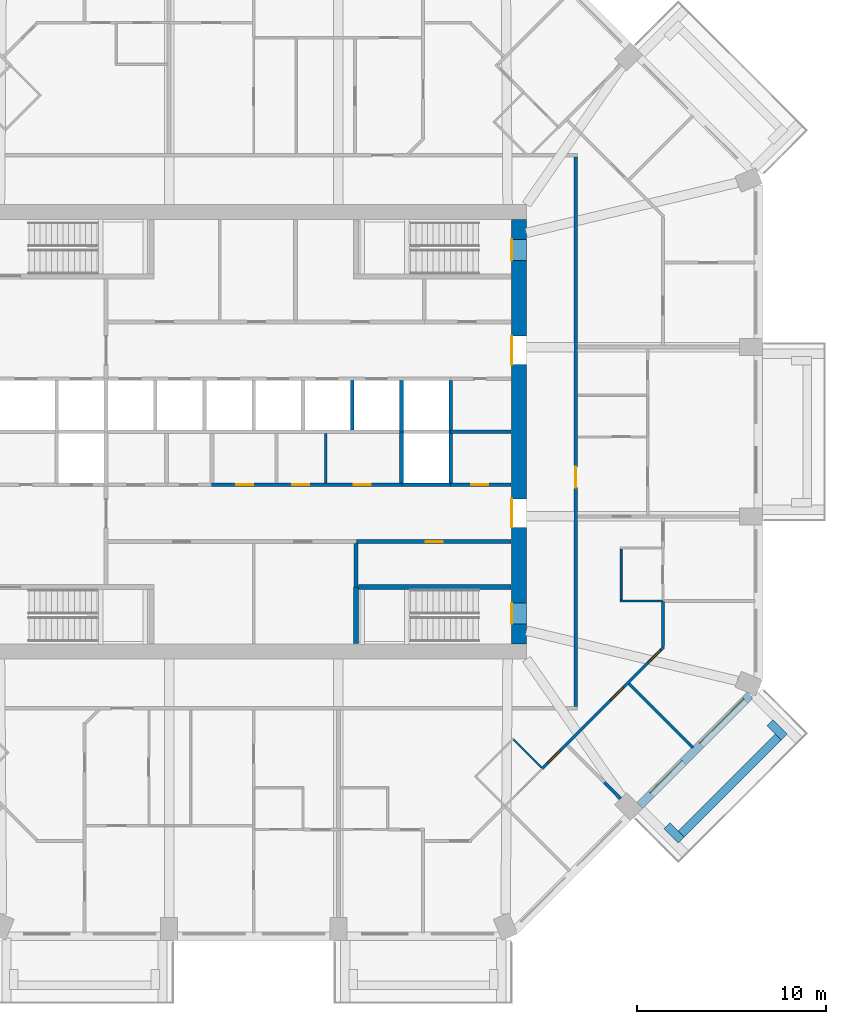
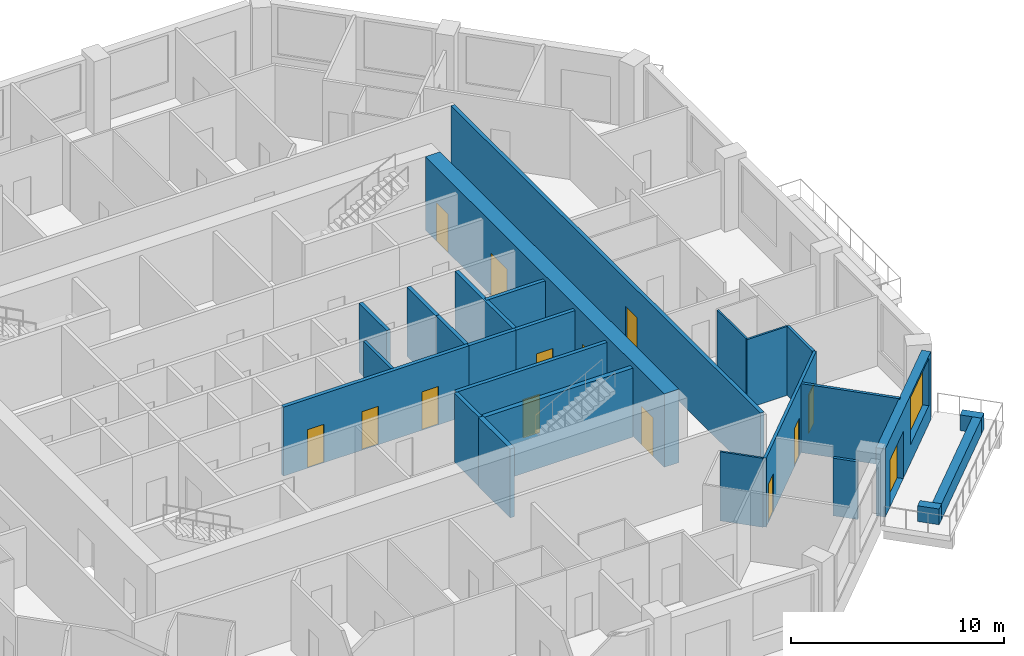
# One storey, part 6 of 13: 26 walls, 14 doors, 1 window, 15 openings.
"""IFC4 building model written with IfcOpenShell, lengths in metres."""

import ifcopenshell
import ifcopenshell.guid

model = None  # the IFC model being written
_history = None  # IfcOwnerHistory: only IFC2X3 demands one
_inside = {}  # id of a spatial element -> (the spatial element, [elements in it])
_under = {}  # id of a project, library or spatial element -> (it, [spatial elements below it])
_declared = {}  # id of a project -> (the project, [libraries it declares])
_typed = {}  # id of a type object -> (the type object, [elements of that type])
_made_of = {}  # id of a material, layer set ... -> (it, [elements and type objects made of it])


def new_model(schema):
    """Start an empty IFC model of exactly this schema.

    Asked for "IFC4X3", IfcOpenShell would pick the latest addendum, in which some entities
    have other attributes; the version numbers below select the first issue.
    IFC2X3 requires an IfcOwnerHistory on every rooted entity: one is made here for all.
    """
    global model, _history
    if schema == "IFC4X3":
        model = ifcopenshell.file(schema_version=(4, 3, 0, 0))
    else:
        model = ifcopenshell.file(schema=schema)
    _inside.clear()
    _under.clear()
    _declared.clear()
    _typed.clear()
    _made_of.clear()
    _history = None
    if model.schema == "IFC2X3":
        org = make("IfcOrganization", Name="unknown")
        user = make(
            "IfcPersonAndOrganization",
            ThePerson=make("IfcPerson", FamilyName="unknown"),
            TheOrganization=org,
        )
        app = make(
            "IfcApplication",
            ApplicationDeveloper=org,
            Version="unknown",
            ApplicationFullName="unknown",
            ApplicationIdentifier="unknown",
        )
        _history = make(
            "IfcOwnerHistory",
            OwningUser=user,
            OwningApplication=app,
            ChangeAction="ADDED",
            CreationDate=0,
        )
    return model


def make(cls, **values):
    """One entity of the class cls with the attributes given. An attribute that is None is left unset."""
    return model.create_entity(
        cls, **{name: value for name, value in values.items() if value is not None}
    )


def rooted(cls, **values):
    """An entity with a GlobalId (a new one), such as an element, a storey or a relation."""
    return make(cls, GlobalId=ifcopenshell.guid.new(), OwnerHistory=_history, **values)


def si_unit(unit_type, name, prefix=None):
    """IfcSIUnit, for example si_unit("LENGTHUNIT", "METRE", prefix="MILLI")."""
    return make("IfcSIUnit", UnitType=unit_type, Prefix=prefix, Name=name)


def assignment(units):
    """IfcUnitAssignment: the units of a project."""
    return None if units is None else make("IfcUnitAssignment", Units=units)


def point(xyz):
    """IfcCartesianPoint."""
    return None if xyz is None else make("IfcCartesianPoint", Coordinates=xyz)


def direction(xyz):
    """IfcDirection."""
    return None if xyz is None else make("IfcDirection", DirectionRatios=xyz)


def frame(location, z_axis=None, x_axis=None):
    """IfcAxis2Placement3D, a coordinate frame: its origin and axes. An axis left out is left unset."""
    return make(
        "IfcAxis2Placement3D",
        Location=point(location),
        Axis=direction(z_axis),
        RefDirection=direction(x_axis),
    )


def frame_2d(location, x_axis=None):
    """IfcAxis2Placement2D, a coordinate frame in the plane: its origin and x axis."""
    return make(
        "IfcAxis2Placement2D", Location=point(location), RefDirection=direction(x_axis)
    )


def origin():
    """The frame at (0, 0, 0) with its axes left unset."""
    return frame((0.0, 0.0, 0.0))


def place(relative_to, where):
    """IfcLocalPlacement: puts the frame where relative to a parent placement (None: the world)."""
    return make(
        "IfcLocalPlacement", PlacementRelTo=relative_to, RelativePlacement=where
    )


def context(
    kind, dimensions, precision=None, world=None, true_north=None, identifier=None
):
    """IfcGeometricRepresentationContext, for example the 3D "Model" context."""
    return make(
        "IfcGeometricRepresentationContext",
        ContextIdentifier=identifier,
        ContextType=kind,
        CoordinateSpaceDimension=dimensions,
        Precision=precision,
        WorldCoordinateSystem=world,
        TrueNorth=true_north,
    )


def subcontext(parent, identifier, kind, view, scale=None):
    """IfcGeometricRepresentationSubContext, for example "Body" below "Model"."""
    return make(
        "IfcGeometricRepresentationSubContext",
        ContextIdentifier=identifier,
        ContextType=kind,
        ParentContext=parent,
        TargetScale=scale,
        TargetView=view,
    )


def project(units=None, contexts=None):
    """IfcProject with its units and contexts."""
    return rooted(
        "IfcProject",
        Name="project",
        RepresentationContexts=contexts,
        UnitsInContext=assignment(units),
    )


def spatial(cls, under=None, at=None, **own):
    """A site, building, storey or space (cls), placed at a placement, below another one or the project."""
    s = rooted(cls, ObjectPlacement=at, **own)
    if under is not None:
        _under.setdefault(under.id(), (under, []))[1].append(s)
    return s


def profile(cls, at=None, kind="AREA", **sizes):
    """A parametric profile (cls). Its sizes go by their IFC names, for example OverallWidth=200.0."""
    return make(cls, ProfileType=kind, Position=at, **sizes)


def rectangle(**sizes):
    """IfcRectangleProfileDef."""
    return profile("IfcRectangleProfileDef", **sizes)


def extrude(swept, where, along, depth):
    """IfcExtrudedAreaSolid: the profile swept, set in the frame where, extruded along a direction by depth."""
    return make(
        "IfcExtrudedAreaSolid",
        SweptArea=swept,
        Position=where,
        ExtrudedDirection=direction(along),
        Depth=depth,
    )


def shape(context_of_items, identifier, shape_type, items):
    """IfcShapeRepresentation: the items that make up one representation, for example the "Body"."""
    return make(
        "IfcShapeRepresentation",
        ContextOfItems=context_of_items,
        RepresentationIdentifier=identifier,
        RepresentationType=shape_type,
        Items=items,
    )


def material(Name=None, Category=None):
    """IfcMaterial."""
    return make("IfcMaterial", Name=Name, Category=Category)


def layer(
    of_material, thickness, ventilated=None, Name=None, Category=None, Priority=None
):
    """IfcMaterialLayer: one layer of a wall or slab, of a material (None: an air gap)."""
    return make(
        "IfcMaterialLayer",
        Material=of_material,
        LayerThickness=thickness,
        IsVentilated=ventilated,
        Name=Name,
        Category=Category,
        Priority=Priority,
    )


def layer_set(layers, Name=None):
    """IfcMaterialLayerSet."""
    return make("IfcMaterialLayerSet", MaterialLayers=layers, LayerSetName=Name)


def made_of(thing, what):
    """Note that an element or type object is made of a material, layer set ...; save() writes the relation."""
    if what is not None:
        _made_of.setdefault(what.id(), (what, []))[1].append(thing)
    return thing


def type_object(cls, material=None, **own):
    """A type object (cls), such as IfcWallType, which elements share."""
    return made_of(rooted(cls, **own), material)


def element(
    cls,
    number,
    at=None,
    inside=None,
    cuts=None,
    type_object=None,
    material=None,
    context=None,
    identifier="Body",
    shape_type=None,
    held_by="IfcProductDefinitionShape",
    body=None,
    shapes=None,
    **own,
):
    """One element of the class cls, such as IfcWall. Its Tag is "e" and its number.

    at: its placement. inside: the storey or other place that contains it. cuts: it is an
    opening in that element (IfcRelVoidsElement). A single representation is given by context,
    identifier, shape_type and body (its items); several are given by shapes. held_by: the class
    of the entity that holds the representations. save() writes the other relations.
    """
    e = rooted(cls, Tag="e%d" % number, ObjectPlacement=at, **own)
    if body is not None:
        shapes = [shape(context, identifier, shape_type, body)]
    if shapes is not None:
        e.Representation = make(held_by, Representations=shapes)
    if inside is not None:
        _inside.setdefault(inside.id(), (inside, []))[1].append(e)
    if cuts is not None:
        rooted(
            "IfcRelVoidsElement", RelatingBuildingElement=cuts, RelatedOpeningElement=e
        )
    if type_object is not None:
        _typed.setdefault(type_object.id(), (type_object, []))[1].append(e)
    return made_of(e, material)


def fill(opening, filler):
    """IfcRelFillsElement: the door or window that sits in an opening."""
    return rooted(
        "IfcRelFillsElement",
        RelatingOpeningElement=opening,
        RelatedBuildingElement=filler,
    )


def aggregate(whole, parts):
    """IfcRelAggregates: a whole, such as a stair, and the parts it consists of."""
    return rooted("IfcRelAggregates", RelatingObject=whole, RelatedObjects=parts)


def save(model, path):
    """Write the relations noted so far, then the file.

    IfcRelAggregates (storeys below a building ...), IfcRelContainedInSpatialStructure (elements
    in a storey), IfcRelDefinesByType, IfcRelAssociatesMaterial and IfcRelDeclares: one each for
    every whole, place, type object, material and project.
    """
    for whole, parts in _under.values():
        aggregate(whole, parts)
    for where, things in _inside.values():
        rooted(
            "IfcRelContainedInSpatialStructure",
            RelatedElements=things,
            RelatingStructure=where,
        )
    for kind, things in _typed.values():
        rooted("IfcRelDefinesByType", RelatedObjects=things, RelatingType=kind)
    for what, things in _made_of.values():
        rooted("IfcRelAssociatesMaterial", RelatedObjects=things, RelatingMaterial=what)
    for by, libraries in _declared.values():
        rooted("IfcRelDeclares", RelatingContext=by, RelatedDefinitions=libraries)
    model.write(path)


model = new_model("IFC4")

# Units and contexts
model_context = context("Model", 3, precision=1e-05, world=origin(), true_north=direction((0.0, 1.0)))
body_context = subcontext(model_context, "Body", "Model", "MODEL_VIEW")
ifc_project = project(units=[si_unit("LENGTHUNIT", "METRE"), si_unit("AREAUNIT", "SQUARE_METRE"), si_unit("VOLUMEUNIT", "CUBIC_METRE"), si_unit("PLANEANGLEUNIT", "RADIAN"), si_unit("MASSUNIT", "GRAM", prefix="KILO")], contexts=[model_context])

# Site, building, storey
site_placement = place(None, origin())
site = spatial("IfcSite", under=ifc_project, at=site_placement, CompositionType="ELEMENT")
building_placement = place(site_placement, origin())
building = spatial("IfcBuilding", under=site, at=building_placement, Name="Msitu Wima Residences", CompositionType="ELEMENT")
storey_placement = place(building_placement, frame((0.0, 0.0, 110.699951171875)))
storey = spatial("IfcBuildingStorey", under=building, at=storey_placement, Name="L25", CompositionType="ELEMENT", Elevation=110.699951171875)

# Walls
ifc_material_1 = material(Name="Facing brick")
ifc_layer_1 = layer(ifc_material_1, 0.06494140625, Name="Facing brick")
ifc_material_2 = material(Name="Concrete C40/50", Category="concrete")
ifc_layer_2 = layer(ifc_material_2, 0.156005859375, Name="Concrete C40/50")
ifc_material_3 = material(Name="Waterproofing membrane")
ifc_layer_3 = layer(ifc_material_3, 0.00390625, Name="Waterproofing membrane")
ifc_material_4 = material(Name="Planting soil and planting")
ifc_layer_4 = layer(ifc_material_4, 0.22509765625, Name="Planting soil and planting")
ifc_layer_set_1 = layer_set([ifc_layer_1, ifc_layer_2, ifc_layer_3, ifc_layer_4], Name="Concrete C40/50")
wall_type_1 = type_object("IfcWallType", Name="Balcony planter PLANTER PL450", PredefinedType="USERDEFINED", material=ifc_layer_set_1)
wall_1_placement = place(storey_placement, frame((22.572265625, -21.228759765625, 0.0), z_axis=(0.0, 0.0, 1.0), x_axis=(0.707106781187, 0.707106781187, 0.0)))
element("IfcWall", 1, at=wall_1_placement, inside=storey, type_object=wall_type_1, Name="Balcony planter SE1 L25", ObjectType="PLANTER", PredefinedType="USERDEFINED", context=body_context, shape_type="SweptSolid", body=[
    extrude(rectangle(XDim=7.23828125, YDim=0.449951171875, at=frame_2d((3.619140625, 0.0))), origin(), (0.0, 0.0, 1.0), 0.900146484375),
])
for number, where, z_axis, x_axis, name in (
    (2, (21.829833984375, -20.804443359375, 0.0), (0.0, 0.0, 1.0), (0.707106781187, -0.707106781187, 0.0), "Balcony planter SE1 L25"),
    (3, (27.26611328125, -15.3681640625, 0.0), (0.0, 0.0, 1.0), (0.707223014731, -0.706990528533, 0.0), "Balcony planter SE1 L25"),
):
    element("IfcWall", number, at=place(storey_placement, frame(where, z_axis=z_axis, x_axis=x_axis)), inside=storey, type_object=wall_type_1, Name=name, ObjectType="PLANTER", PredefinedType="USERDEFINED", context=body_context, shape_type="SweptSolid", body=[
        extrude(rectangle(XDim=1.050048828125, YDim=0.449951171875, at=frame_2d((0.52490234375, 0.0))), origin(), (0.0, 0.0, 1.0), 0.900146484375),
    ])

# Wall, openings, door, window
ifc_material_5 = material(Name="Brick (red buff mix)", Category="masonry")
ifc_layer_5 = layer(ifc_material_5, 0.449951171875)
ifc_layer_set_2 = layer_set([ifc_layer_5], Name="Brick (red buff mix)")
wall_type_2 = type_object("IfcWallType", Name="Brick infill wall BW450", PredefinedType="SOLIDWALL", material=ifc_layer_set_2)
wall_2_placement = place(storey_placement, frame((20.380126953125, -19.743896484375, 0.0), z_axis=(0.0, 0.0, 1.0), x_axis=(0.707106781187, 0.707106781187, 0.0)))
wall_2 = element("IfcWall", 4, at=wall_2_placement, inside=storey, type_object=wall_type_2, Name="Brick infill wall L25 SE1", PredefinedType="SOLIDWALL", context=body_context, shape_type="SweptSolid", body=[
    extrude(rectangle(XDim=8.251220703125, YDim=0.449951171875, at=frame_2d((4.12548828125, 0.0))), origin(), (0.0, 0.0, 1.0), 3.900146484375),
])
opening_1_placement = place(wall_2_placement, frame((0.86279296875, 0.0, 0.0)))
opening_1 = element("IfcOpeningElement", 5, at=opening_1_placement, cuts=wall_2, Name="Opening D25-26.008", PredefinedType="OPENING", context=body_context, shape_type="SweptSolid", body=[
    extrude(rectangle(XDim=2.39990234375, YDim=2.699951171875, at=frame_2d((1.199951171875, 1.35009765625))), frame((0.0, 0.23486328125, 0.0), z_axis=(0.0, -1.0, 0.0), x_axis=(1.0, 0.0, 0.0)), (0.0, 0.0, 1.0), 0.469970703125),
])
opening_2_placement = place(wall_2_placement, frame((4.57568359375, 0.0, 1.050048828125)))
opening_2 = element("IfcOpeningElement", 6, at=opening_2_placement, cuts=wall_2, Name="Opening W25-26.022", PredefinedType="OPENING", context=body_context, shape_type="SweptSolid", body=[
    extrude(rectangle(XDim=3.300048828125, YDim=2.699951171875, at=frame_2d((1.64990234375, 1.35009765625))), frame((0.0, 0.23486328125, 0.0), z_axis=(0.0, -1.0, 0.0), x_axis=(1.0, 0.0, 0.0)), (0.0, 0.0, 1.0), 0.469970703125),
])
ifc_material_6 = material(Name="Anodised aluminium, bronze finish, clear low-emissivity double glazing", Category="aluminium")
door_type_1 = type_object("IfcDoorType", Name="Balcony door D2400x2700", OperationType="SLIDING_TO_LEFT", PredefinedType="DOOR", material=ifc_material_6)
door_1_placement = place(opening_1_placement, origin())
door_1 = element("IfcDoor", 7, at=door_1_placement, inside=storey, type_object=door_type_1, Name="Balcony door L25 SE1", OperationType="SINGLE_SWING_LEFT", OverallHeight=2.699951171875, OverallWidth=2.39990234375, PredefinedType="DOOR", context=body_context, shape_type="SweptSolid", body=[
    extrude(rectangle(XDim=2.39990234375, YDim=2.699951171875, at=frame_2d((1.199951171875, 1.35009765625))), frame((0.0, 0.1298828125, 0.0), z_axis=(0.0, -1.0, 0.0), x_axis=(1.0, 0.0, 0.0)), (0.0, 0.0, 1.0), 0.050048828125),
])
fill(opening_1, door_1)
window_type = type_object("IfcWindowType", Name="Window W3300x2700", PartitioningType="DOUBLE_PANEL_VERTICAL", PredefinedType="WINDOW", material=ifc_material_6)
window_placement = place(opening_2_placement, origin())
window = element("IfcWindow", 8, at=window_placement, inside=storey, type_object=window_type, Name="Window L25 SE1.2", OverallHeight=2.699951171875, OverallWidth=3.300048828125, PartitioningType="SINGLE_PANEL", PredefinedType="WINDOW", context=body_context, shape_type="SweptSolid", body=[
    extrude(rectangle(XDim=3.300048828125, YDim=2.699951171875, at=frame_2d((1.64990234375, 1.35009765625))), frame((0.0, 0.135009765625, 0.0), z_axis=(0.0, -1.0, 0.0), x_axis=(1.0, 0.0, 0.0)), (0.0, 0.0, 1.0), 0.06005859375),
])
fill(opening_2, window)

# Wall, openings, doors
ifc_material_7 = material(Name="Concrete C70/85", Category="concrete")
ifc_layer_6 = layer(ifc_material_7, 0.800048828125)
ifc_layer_set_3 = layer_set([ifc_layer_6], Name="Concrete C70/85")
wall_type_3 = type_object("IfcWallType", Name="Core wall CW800 C70/85", PredefinedType="SHEAR", material=ifc_layer_set_3)
wall_3_placement = place(storey_placement, frame((14.0, -11.199951171875, 0.0), z_axis=(0.0, 0.0, 1.0), x_axis=(0.0, 1.0, 0.0)))
wall_3 = element("IfcWall", 9, at=wall_3_placement, inside=storey, type_object=wall_type_3, Name="Core wall", PredefinedType="SHEAR", context=body_context, shape_type="SweptSolid", body=[
    extrude(rectangle(XDim=22.39990234375, YDim=0.800048828125, at=frame_2d((11.199951171875, 0.0))), origin(), (0.0, 0.0, 1.0), 4.199951171875),
])
opening_3_placement = place(wall_3_placement, frame((20.25, 0.0, 0.0)))
opening_3 = element("IfcOpeningElement", 10, at=opening_3_placement, cuts=wall_3, Name="Opening D25-26.040", PredefinedType="OPENING", context=body_context, shape_type="SweptSolid", body=[
    extrude(rectangle(XDim=1.10009765625, YDim=2.199951171875, at=frame_2d((0.550048828125, 1.10009765625))), frame((0.0, 0.409912109375, 0.0), z_axis=(0.0, -1.0, 0.0), x_axis=(1.0, 0.0, 0.0)), (0.0, 0.0, 1.0), 0.820068359375),
])
opening_4_placement = place(wall_3_placement, frame((1.050048828125, 0.0, 0.0)))
opening_4 = element("IfcOpeningElement", 11, at=opening_4_placement, cuts=wall_3, Name="Opening D25-26.041", PredefinedType="OPENING", context=body_context, shape_type="SweptSolid", body=[
    extrude(rectangle(XDim=1.10009765625, YDim=2.199951171875, at=frame_2d((0.550048828125, 1.10009765625))), frame((0.0, 0.409912109375, 0.0), z_axis=(0.0, -1.0, 0.0), x_axis=(1.0, 0.0, 0.0)), (0.0, 0.0, 1.0), 0.820068359375),
])
opening_5_placement = place(wall_3_placement, frame((14.75, 0.0, 0.0)))
opening_5 = element("IfcOpeningElement", 12, at=opening_5_placement, cuts=wall_3, Name="Opening D25-26.027", PredefinedType="OPENING", context=body_context, shape_type="SweptSolid", body=[
    extrude(rectangle(XDim=1.5, YDim=2.39990234375, at=frame_2d((0.75, 1.199951171875))), frame((0.0, 0.409912109375, 0.0), z_axis=(0.0, -1.0, 0.0), x_axis=(1.0, 0.0, 0.0)), (0.0, 0.0, 1.0), 0.820068359375),
])
opening_6_placement = place(wall_3_placement, frame((6.14990234375, 0.0, 0.0)))
opening_6 = element("IfcOpeningElement", 13, at=opening_6_placement, cuts=wall_3, Name="Opening D25-26.028", PredefinedType="OPENING", context=body_context, shape_type="SweptSolid", body=[
    extrude(rectangle(XDim=1.5, YDim=2.39990234375, at=frame_2d((0.75, 1.199951171875))), frame((0.0, 0.409912109375, 0.0), z_axis=(0.0, -1.0, 0.0), x_axis=(1.0, 0.0, 0.0)), (0.0, 0.0, 1.0), 0.820068359375),
])
ifc_material_8 = material(Name="Steel framed glazed door, fire resisting", Category="steel")
door_type_2 = type_object("IfcDoorType", Name="Lobby door D07 1500x2400", OperationType="DOUBLE_DOOR_SINGLE_SWING", PredefinedType="DOOR", material=ifc_material_8)
door_2_placement = place(opening_5_placement, origin())
door_2 = element("IfcDoor", 14, at=door_2_placement, inside=storey, type_object=door_type_2, Name="Lobby door", OperationType="DOUBLE_DOOR_SINGLE_SWING", OverallHeight=2.39990234375, OverallWidth=1.5, PredefinedType="DOOR", context=body_context, shape_type="SweptSolid", body=[
    extrude(rectangle(XDim=1.5, YDim=2.39990234375, at=frame_2d((0.75, 1.199951171875))), frame((0.0, 0.39501953125, 0.0), z_axis=(0.0, -1.0, 0.0), x_axis=(1.0, 0.0, 0.0)), (0.0, 0.0, 1.0), 0.050048828125),
])
fill(opening_5, door_2)
door_3_placement = place(opening_6_placement, origin())
door_3 = element("IfcDoor", 15, at=door_3_placement, inside=storey, type_object=door_type_2, Name="Lobby door", OperationType="DOUBLE_DOOR_SINGLE_SWING", OverallHeight=2.39990234375, OverallWidth=1.5, PredefinedType="DOOR", context=body_context, shape_type="SweptSolid", body=[
    extrude(rectangle(XDim=1.5, YDim=2.39990234375, at=frame_2d((0.75, 1.199951171875))), frame((0.0, 0.39501953125, 0.0), z_axis=(0.0, -1.0, 0.0), x_axis=(1.0, 0.0, 0.0)), (0.0, 0.0, 1.0), 0.050048828125),
])
fill(opening_6, door_3)
ifc_material_9 = material(Name="Steel door, fire resisting, panic bar", Category="steel")
door_type_3 = type_object("IfcDoorType", Name="Stair door D06 1100x2200", OperationType="SINGLE_SWING_LEFT", PredefinedType="DOOR", material=ifc_material_9)
door_4_placement = place(opening_3_placement, origin())
door_4 = element("IfcDoor", 16, at=door_4_placement, inside=storey, type_object=door_type_3, Name="Stair door", OperationType="SINGLE_SWING_LEFT", OverallHeight=2.199951171875, OverallWidth=1.10009765625, PredefinedType="DOOR", context=body_context, shape_type="SweptSolid", body=[
    extrude(rectangle(XDim=1.10009765625, YDim=2.199951171875, at=frame_2d((0.550048828125, 1.10009765625))), frame((0.0, 0.39501953125, 0.0), z_axis=(0.0, -1.0, 0.0), x_axis=(1.0, 0.0, 0.0)), (0.0, 0.0, 1.0), 0.050048828125),
])
fill(opening_3, door_4)
door_5_placement = place(opening_4_placement, origin())
door_5 = element("IfcDoor", 17, at=door_5_placement, inside=storey, type_object=door_type_3, Name="Stair door", OperationType="SINGLE_SWING_RIGHT", OverallHeight=2.199951171875, OverallWidth=1.10009765625, PredefinedType="DOOR", context=body_context, shape_type="SweptSolid", body=[
    extrude(rectangle(XDim=1.10009765625, YDim=2.199951171875, at=frame_2d((0.550048828125, 1.10009765625))), frame((0.0, 0.39501953125, 0.0), z_axis=(0.0, -1.0, 0.0), x_axis=(1.0, 0.0, 0.0)), (0.0, 0.0, 1.0), 0.050048828125),
])
fill(opening_4, door_5)

ifc_material_10 = material(Name="Plaster")
ifc_layer_7 = layer(ifc_material_10, 0.011962890625, Name="Plaster")
ifc_material_11 = material(Name="Concrete blockwork", Category="masonry")
ifc_layer_8 = layer(ifc_material_11, 0.176025390625, Name="Concrete blockwork")
ifc_layer_9 = layer(ifc_material_10, 0.011962890625, Name="Plaster")
ifc_layer_set_4 = layer_set([ifc_layer_7, ifc_layer_8, ifc_layer_9], Name="Concrete blockwork")
wall_type_4 = type_object("IfcWallType", Name="Corridor wall FW200", PredefinedType="PARTITIONING", material=ifc_layer_set_4)
wall_4_placement = place(storey_placement, frame((-2.219970703125, -2.800048828125, 0.0), z_axis=(0.0, 0.0, 1.0), x_axis=(1.0, 0.0, 0.0)))
wall_4 = element("IfcWall", 18, at=wall_4_placement, inside=storey, type_object=wall_type_4, Name="Corridor wall", PredefinedType="PARTITIONING", context=body_context, shape_type="SweptSolid", body=[
    extrude(rectangle(XDim=10.0400390625, YDim=0.199951171875, at=frame_2d((5.02001953125, 0.0))), origin(), (0.0, 0.0, 1.0), 3.949951171875),
])
opening_7_placement = place(wall_4_placement, frame((1.300048828125, 0.0, 0.0)))
opening_7 = element("IfcOpeningElement", 19, at=opening_7_placement, cuts=wall_4, Name="Opening D25-26.033", PredefinedType="OPENING", context=body_context, shape_type="SweptSolid", body=[
    extrude(rectangle(XDim=0.89990234375, YDim=2.199951171875, at=frame_2d((0.449951171875, 1.10009765625))), frame((0.0, 0.10986328125, 0.0), z_axis=(0.0, -1.0, 0.0), x_axis=(1.0, 0.0, 0.0)), (0.0, 0.0, 1.0), 0.219970703125),
])
opening_8_placement = place(wall_4_placement, frame((4.25, 0.0, 0.0)))
opening_8 = element("IfcOpeningElement", 20, at=opening_8_placement, cuts=wall_4, Name="Opening D25-26.034", PredefinedType="OPENING", context=body_context, shape_type="SweptSolid", body=[
    extrude(rectangle(XDim=0.89990234375, YDim=2.199951171875, at=frame_2d((0.449951171875, 1.10009765625))), frame((0.0, 0.10986328125, 0.0), z_axis=(0.0, -1.0, 0.0), x_axis=(1.0, 0.0, 0.0)), (0.0, 0.0, 1.0), 0.219970703125),
])
opening_9_placement = place(wall_4_placement, frame((7.5, 0.0, 0.0)))
opening_9 = element("IfcOpeningElement", 21, at=opening_9_placement, cuts=wall_4, Name="Opening D25-26.035", PredefinedType="OPENING", context=body_context, shape_type="SweptSolid", body=[
    extrude(rectangle(XDim=0.89990234375, YDim=2.199951171875, at=frame_2d((0.449951171875, 1.10009765625))), frame((0.0, 0.10986328125, 0.0), z_axis=(0.0, -1.0, 0.0), x_axis=(1.0, 0.0, 0.0)), (0.0, 0.0, 1.0), 0.219970703125),
])
ifc_material_12 = material(Name="Timber flush door", Category="wood")
door_type_4 = type_object("IfcDoorType", Name="Service door D05 900x2200", OperationType="SINGLE_SWING_LEFT", PredefinedType="DOOR", material=ifc_material_12)
door_6_placement = place(opening_7_placement, origin())
door_6 = element("IfcDoor", 22, at=door_6_placement, inside=storey, type_object=door_type_4, Name="Service door", OperationType="SINGLE_SWING_RIGHT", OverallHeight=2.199951171875, OverallWidth=0.89990234375, PredefinedType="DOOR", context=body_context, shape_type="SweptSolid", body=[
    extrude(rectangle(XDim=0.89990234375, YDim=2.199951171875, at=frame_2d((0.449951171875, 1.10009765625))), frame((0.0, 0.02490234375, 0.0), z_axis=(0.0, -1.0, 0.0), x_axis=(1.0, 0.0, 0.0)), (0.0, 0.0, 1.0), 0.050048828125),
])
fill(opening_7, door_6)
door_7_placement = place(opening_8_placement, origin())
door_7 = element("IfcDoor", 23, at=door_7_placement, inside=storey, type_object=door_type_4, Name="Service door", OperationType="SINGLE_SWING_LEFT", OverallHeight=2.199951171875, OverallWidth=0.89990234375, PredefinedType="DOOR", context=body_context, shape_type="SweptSolid", body=[
    extrude(rectangle(XDim=0.89990234375, YDim=2.199951171875, at=frame_2d((0.449951171875, 1.10009765625))), frame((0.0, 0.02490234375, 0.0), z_axis=(0.0, -1.0, 0.0), x_axis=(1.0, 0.0, 0.0)), (0.0, 0.0, 1.0), 0.050048828125),
])
fill(opening_8, door_7)
door_8_placement = place(opening_9_placement, origin())
door_8 = element("IfcDoor", 24, at=door_8_placement, inside=storey, type_object=door_type_4, Name="Service door", OperationType="SINGLE_SWING_LEFT", OverallHeight=2.199951171875, OverallWidth=0.89990234375, PredefinedType="DOOR", context=body_context, shape_type="SweptSolid", body=[
    extrude(rectangle(XDim=0.89990234375, YDim=2.199951171875, at=frame_2d((0.449951171875, 1.10009765625))), frame((0.0, 0.02490234375, 0.0), z_axis=(0.0, -1.0, 0.0), x_axis=(1.0, 0.0, 0.0)), (0.0, 0.0, 1.0), 0.050048828125),
])
fill(opening_9, door_8)

# Wall, opening, door
wall_5_placement = place(storey_placement, frame((17.0, -14.5, 0.0), z_axis=(0.0, 0.0, 1.0), x_axis=(0.0, 1.0, 0.0)))
wall_5 = element("IfcWall", 25, at=wall_5_placement, inside=storey, type_object=wall_type_4, Name="Corridor wall", PredefinedType="PARTITIONING", context=body_context, shape_type="SweptSolid", body=[
    extrude(rectangle(XDim=29.0, YDim=0.199951171875, at=frame_2d((14.5, 0.0))), origin(), (0.0, 0.0, 1.0), 3.949951171875),
])
opening_10_placement = place(wall_5_placement, frame((11.550048828125, 0.0, 0.0)))
opening_10 = element("IfcOpeningElement", 26, at=opening_10_placement, cuts=wall_5, Name="Opening D25-26.014", PredefinedType="OPENING", context=body_context, shape_type="SweptSolid", body=[
    extrude(rectangle(XDim=1.10009765625, YDim=2.39990234375, at=frame_2d((0.550048828125, 1.199951171875))), frame((0.0, 0.10986328125, 0.0), z_axis=(0.0, -1.0, 0.0), x_axis=(1.0, 0.0, 0.0)), (0.0, 0.0, 1.0), 0.219970703125),
])
ifc_material_13 = material(Name="Timber flush door, fire resisting, self-closing", Category="wood")
door_type_5 = type_object("IfcDoorType", Name="Flat entrance door D01 1100x2400", OperationType="SINGLE_SWING_LEFT", PredefinedType="DOOR", material=ifc_material_13)
door_9_placement = place(opening_10_placement, origin())
door_9 = element("IfcDoor", 27, at=door_9_placement, inside=storey, type_object=door_type_5, Name="Flat entrance door", OperationType="SINGLE_SWING_RIGHT", OverallHeight=2.39990234375, OverallWidth=1.10009765625, PredefinedType="DOOR", context=body_context, shape_type="SweptSolid", body=[
    extrude(rectangle(XDim=1.10009765625, YDim=2.39990234375, at=frame_2d((0.550048828125, 1.199951171875))), frame((0.0, 0.02490234375, 0.0), z_axis=(0.0, -1.0, 0.0), x_axis=(1.0, 0.0, 0.0)), (0.0, 0.0, 1.0), 0.050048828125),
])
fill(opening_10, door_9)

# Wall
ifc_layer_10 = layer(ifc_material_10, 0.011962890625, Name="Plaster")
ifc_layer_11 = layer(ifc_material_11, 0.1259765625, Name="Concrete blockwork")
ifc_layer_12 = layer(ifc_material_10, 0.011962890625, Name="Plaster")
ifc_layer_set_5 = layer_set([ifc_layer_10, ifc_layer_11, ifc_layer_12], Name="Concrete blockwork")
wall_type_5 = type_object("IfcWallType", Name="Partition PW150", PredefinedType="PARTITIONING", material=ifc_layer_set_5)
wall_6_placement = place(storey_placement, frame((3.800048828125, -2.699951171875, 0.0), z_axis=(0.0, 0.0, 1.0), x_axis=(0.0, 1.0, 0.0)))
element("IfcWall", 28, at=wall_6_placement, inside=storey, type_object=wall_type_5, Name="Partition", PredefinedType="PARTITIONING", context=body_context, shape_type="SweptSolid", body=[
    extrude(rectangle(XDim=2.599853515625, YDim=0.14990234375, at=frame_2d((1.2998046875, 0.0))), origin(), (0.0, 0.0, 1.0), 3.949951171875),
])

# Wall, openings, doors
wall_7_placement = place(storey_placement, frame((15.240234375, -17.77734375, 0.0), z_axis=(0.0, 0.0, 1.0), x_axis=(0.707120241298, 0.707093320819, 0.0)))
wall_7 = element("IfcWall", 29, at=wall_7_placement, inside=storey, type_object=wall_type_5, Name="Partition", PredefinedType="PARTITIONING", context=body_context, shape_type="SweptSolid", body=[
    extrude(rectangle(XDim=9.06884765625, YDim=0.14990234375, at=frame_2d((4.534423828125, 0.0))), origin(), (0.0, 0.0, 1.0), 3.949951171875),
])
opening_11_placement = place(wall_7_placement, frame((5.10009765625, 0.0, 0.0)))
opening_11 = element("IfcOpeningElement", 30, at=opening_11_placement, cuts=wall_7, Name="Opening D25-26.079", PredefinedType="OPENING", context=body_context, shape_type="SweptSolid", body=[
    extrude(rectangle(XDim=0.949951171875, YDim=2.199951171875, at=frame_2d((0.47509765625, 1.10009765625))), frame((0.0, 0.0849609375, 0.0), z_axis=(0.0, -1.0, 0.0), x_axis=(1.0, 0.0, 0.0)), (0.0, 0.0, 1.0), 0.169921875),
])
opening_12_placement = place(wall_7_placement, frame((0.39990234375, 0.0, 0.0)))
opening_12 = element("IfcOpeningElement", 31, at=opening_12_placement, cuts=wall_7, Name="Opening D25-26.081", PredefinedType="OPENING", context=body_context, shape_type="SweptSolid", body=[
    extrude(rectangle(XDim=0.949951171875, YDim=2.199951171875, at=frame_2d((0.47509765625, 1.10009765625))), frame((0.0, 0.0849609375, 0.0), z_axis=(0.0, -1.0, 0.0), x_axis=(1.0, 0.0, 0.0)), (0.0, 0.0, 1.0), 0.169921875),
])
opening_13_placement = place(wall_7_placement, frame((7.89990234375, 0.0, 0.0)))
opening_13 = element("IfcOpeningElement", 32, at=opening_13_placement, cuts=wall_7, Name="Opening D25-26.088", PredefinedType="OPENING", context=body_context, shape_type="SweptSolid", body=[
    extrude(rectangle(XDim=0.949951171875, YDim=2.199951171875, at=frame_2d((0.47509765625, 1.10009765625))), frame((0.0, 0.0849609375, 0.0), z_axis=(0.0, -1.0, 0.0), x_axis=(1.0, 0.0, 0.0)), (0.0, 0.0, 1.0), 0.169921875),
])
door_type_6 = type_object("IfcDoorType", Name="Room door D12 950x2200", OperationType="SINGLE_SWING_LEFT", PredefinedType="DOOR", material=ifc_material_12)
door_10_placement = place(opening_11_placement, origin())
door_10 = element("IfcDoor", 33, at=door_10_placement, inside=storey, type_object=door_type_6, Name="Room door", OperationType="SINGLE_SWING_LEFT", OverallHeight=2.199951171875, OverallWidth=0.949951171875, PredefinedType="DOOR", context=body_context, shape_type="SweptSolid", body=[
    extrude(rectangle(XDim=0.949951171875, YDim=2.199951171875, at=frame_2d((0.47509765625, 1.10009765625))), frame((0.0, 0.02490234375, 0.0), z_axis=(0.0, -1.0, 0.0), x_axis=(1.0, 0.0, 0.0)), (0.0, 0.0, 1.0), 0.050048828125),
])
fill(opening_11, door_10)
door_11_placement = place(opening_12_placement, origin())
door_11 = element("IfcDoor", 34, at=door_11_placement, inside=storey, type_object=door_type_6, Name="Room door", OperationType="SINGLE_SWING_LEFT", OverallHeight=2.199951171875, OverallWidth=0.949951171875, PredefinedType="DOOR", context=body_context, shape_type="SweptSolid", body=[
    extrude(rectangle(XDim=0.949951171875, YDim=2.199951171875, at=frame_2d((0.47509765625, 1.10009765625))), frame((0.0, 0.02490234375, 0.0), z_axis=(0.0, -1.0, 0.0), x_axis=(1.0, 0.0, 0.0)), (0.0, 0.0, 1.0), 0.050048828125),
])
fill(opening_12, door_11)
door_12_placement = place(opening_13_placement, origin())
door_12 = element("IfcDoor", 35, at=door_12_placement, inside=storey, type_object=door_type_6, Name="Room door", OperationType="SINGLE_SWING_RIGHT", OverallHeight=2.199951171875, OverallWidth=0.949951171875, PredefinedType="DOOR", context=body_context, shape_type="SweptSolid", body=[
    extrude(rectangle(XDim=0.949951171875, YDim=2.199951171875, at=frame_2d((0.47509765625, 1.10009765625))), frame((0.0, 0.02490234375, 0.0), z_axis=(0.0, -1.0, 0.0), x_axis=(1.0, 0.0, 0.0)), (0.0, 0.0, 1.0), 0.050048828125),
])
fill(opening_13, door_12)

# Walls
wall_8_placement = place(storey_placement, frame((18.517578125, -18.517578125, 0.0), z_axis=(0.0, 0.0, 1.0), x_axis=(0.707106781187, -0.707106781187, 0.0)))
element("IfcWall", 36, at=wall_8_placement, inside=storey, type_object=wall_type_5, Name="Partition", PredefinedType="PARTITIONING", context=body_context, shape_type="SweptSolid", body=[
    extrude(rectangle(XDim=1.209228515625, YDim=0.14990234375, at=frame_2d((0.6044921875, 0.0))), origin(), (0.0, 0.0, 1.0), 3.300048828125),
])
wall_9_placement = place(storey_placement, frame((19.810302734375, -13.313232421875, 0.0), z_axis=(0.0, 0.0, 1.0), x_axis=(0.707106781187, -0.707106781187, 0.0)))
element("IfcWall", 37, at=wall_9_placement, inside=storey, type_object=wall_type_5, Name="Partition", PredefinedType="PARTITIONING", context=body_context, shape_type="SweptSolid", body=[
    extrude(rectangle(XDim=4.7802734375, YDim=0.14990234375, at=frame_2d((2.39013671875, 0.0))), origin(), (0.0, 0.0, 1.0), 3.949951171875),
])
wall_10_placement = place(storey_placement, frame((21.60009765625, -11.3427734375, 0.0), z_axis=(0.0, 0.0, 1.0), x_axis=(0.0, 1.0, 0.0)))
element("IfcWall", 38, at=wall_10_placement, inside=storey, type_object=wall_type_5, Name="Partition", PredefinedType="PARTITIONING", context=body_context, shape_type="SweptSolid", body=[
    extrude(rectangle(XDim=2.385498046875, YDim=0.14990234375, at=frame_2d((1.19287109375, 0.0))), origin(), (0.0, 0.0, 1.0), 3.949951171875),
])

# Wall, opening, door
ifc_layer_13 = layer(ifc_material_10, 0.011962890625, Name="Plaster")
ifc_material_14 = material(Name="Reinforced concrete blockwork", Category="masonry")
ifc_layer_14 = layer(ifc_material_14, 0.176025390625, Name="Reinforced concrete blockwork")
ifc_layer_15 = layer(ifc_material_10, 0.011962890625, Name="Plaster")
ifc_layer_set_6 = layer_set([ifc_layer_13, ifc_layer_14, ifc_layer_15], Name="Reinforced concrete blockwork")
wall_type_6 = type_object("IfcWallType", Name="Plant and riser wall PL200", PredefinedType="PARTITIONING", material=ifc_layer_set_6)
wall_11_placement = place(storey_placement, frame((5.419921875, -5.800048828125, 0.0), z_axis=(0.0, 0.0, 1.0), x_axis=(1.0, 0.0, 0.0)))
wall_11 = element("IfcWall", 39, at=wall_11_placement, inside=storey, type_object=wall_type_6, Name="Plant and riser wall", PredefinedType="PARTITIONING", context=body_context, shape_type="SweptSolid", body=[
    extrude(rectangle(XDim=8.150146484375, YDim=0.199951171875, at=frame_2d((4.0751953125, 0.0))), origin(), (0.0, 0.0, 1.0), 3.949951171875),
])
opening_14_placement = place(wall_11_placement, frame((3.64990234375, 0.0, 0.0)))
opening_14 = element("IfcOpeningElement", 40, at=opening_14_placement, cuts=wall_11, Name="Opening D25-26.026", PredefinedType="OPENING", context=body_context, shape_type="SweptSolid", body=[
    extrude(rectangle(XDim=0.89990234375, YDim=2.199951171875, at=frame_2d((0.449951171875, 1.10009765625))), frame((0.0, 0.10986328125, 0.0), z_axis=(0.0, -1.0, 0.0), x_axis=(1.0, 0.0, 0.0)), (0.0, 0.0, 1.0), 0.219970703125),
])
door_13_placement = place(opening_14_placement, origin())
door_13 = element("IfcDoor", 41, at=door_13_placement, inside=storey, type_object=door_type_4, Name="Service door", OperationType="SINGLE_SWING_LEFT", OverallHeight=2.199951171875, OverallWidth=0.89990234375, PredefinedType="DOOR", context=body_context, shape_type="SweptSolid", body=[
    extrude(rectangle(XDim=0.89990234375, YDim=2.199951171875, at=frame_2d((0.449951171875, 1.10009765625))), frame((0.0, 0.02490234375, 0.0), z_axis=(0.0, -1.0, 0.0), x_axis=(1.0, 0.0, 0.0)), (0.0, 0.0, 1.0), 0.050048828125),
])
fill(opening_14, door_13)

# Wall
wall_12_placement = place(storey_placement, frame((5.39990234375, -8.199951171875, 0.0), z_axis=(0.0, 0.0, 1.0), x_axis=(0.0, 1.0, 0.0)))
element("IfcWall", 42, at=wall_12_placement, inside=storey, type_object=wall_type_6, Name="Plant and riser wall", PredefinedType="PARTITIONING", context=body_context, shape_type="SweptSolid", body=[
    extrude(rectangle(XDim=2.300048828125, YDim=0.199951171875, at=frame_2d((1.14990234375, 0.0))), origin(), (0.0, 0.0, 1.0), 3.949951171875),
])

# Wall, opening, door
wall_13_placement = place(storey_placement, frame((10.3798828125, -2.800048828125, 0.0), z_axis=(0.0, 0.0, 1.0), x_axis=(1.0, 0.0, 0.0)))
wall_13 = element("IfcWall", 43, at=wall_13_placement, inside=storey, type_object=wall_type_6, Name="Plant and riser wall", PredefinedType="PARTITIONING", context=body_context, shape_type="SweptSolid", body=[
    extrude(rectangle(XDim=3.190185546875, YDim=0.199951171875, at=frame_2d((1.59521484375, 0.0))), origin(), (0.0, 0.0, 1.0), 3.949951171875),
])
opening_15_placement = place(wall_13_placement, frame((1.10009765625, 0.0, 0.0)))
opening_15 = element("IfcOpeningElement", 44, at=opening_15_placement, cuts=wall_13, Name="Opening D25-26.015", PredefinedType="OPENING", context=body_context, shape_type="SweptSolid", body=[
    extrude(rectangle(XDim=0.89990234375, YDim=2.199951171875, at=frame_2d((0.449951171875, 1.10009765625))), frame((0.0, 0.10986328125, 0.0), z_axis=(0.0, -1.0, 0.0), x_axis=(1.0, 0.0, 0.0)), (0.0, 0.0, 1.0), 0.219970703125),
])
door_14_placement = place(opening_15_placement, origin())
door_14 = element("IfcDoor", 45, at=door_14_placement, inside=storey, type_object=door_type_4, Name="Service door", OperationType="SINGLE_SWING_LEFT", OverallHeight=2.199951171875, OverallWidth=0.89990234375, PredefinedType="DOOR", context=body_context, shape_type="SweptSolid", body=[
    extrude(rectangle(XDim=0.89990234375, YDim=2.199951171875, at=frame_2d((0.449951171875, 1.10009765625))), frame((0.0, 0.02490234375, 0.0), z_axis=(0.0, -1.0, 0.0), x_axis=(1.0, 0.0, 0.0)), (0.0, 0.0, 1.0), 0.050048828125),
])
fill(opening_15, door_14)

# Walls
wall_14_placement = place(storey_placement, frame((10.39990234375, 0.0, 0.0), z_axis=(0.0, 0.0, 1.0), x_axis=(1.0, 0.0, 0.0)))
element("IfcWall", 46, at=wall_14_placement, inside=storey, type_object=wall_type_6, Name="Plant and riser wall", PredefinedType="PARTITIONING", context=body_context, shape_type="SweptSolid", body=[
    extrude(rectangle(XDim=3.170166015625, YDim=0.199951171875, at=frame_2d((1.5849609375, 0.0))), origin(), (0.0, 0.0, 1.0), 3.949951171875),
])
ifc_material_15 = material(Name="Fire-rated board")
ifc_layer_16 = layer(ifc_material_15, 0.02490234375, Name="Fire-rated board")
ifc_material_16 = material(Name="Light-gauge stud framing with mineral wool")
ifc_layer_17 = layer(ifc_material_16, 0.14990234375, Name="Light-gauge stud framing with mineral wool")
ifc_layer_18 = layer(ifc_material_15, 0.02490234375, Name="Fire-rated board")
ifc_layer_set_7 = layer_set([ifc_layer_16, ifc_layer_17, ifc_layer_18], Name="Light-gauge stud framing with mineral wool")
wall_type_7 = type_object("IfcWallType", Name="Shaft wall SH200", PredefinedType="PARTITIONING", material=ifc_layer_set_7)
wall_15_placement = place(storey_placement, frame((5.199951171875, 0.10009765625, 0.0), z_axis=(0.0, 0.0, 1.0), x_axis=(0.0, 1.0, 0.0)))
element("IfcWall", 47, at=wall_15_placement, inside=storey, type_object=wall_type_7, Name="Shaft wall", PredefinedType="PARTITIONING", context=body_context, shape_type="SweptSolid", body=[
    extrude(rectangle(XDim=2.599853515625, YDim=0.199951171875, at=frame_2d((1.2998046875, 0.0))), origin(), (0.0, 0.0, 1.0), 3.949951171875),
])
wall_16_placement = place(storey_placement, frame((7.800048828125, -2.699951171875, 0.0), z_axis=(0.0, 0.0, 1.0), x_axis=(0.0, 1.0, 0.0)))
element("IfcWall", 48, at=wall_16_placement, inside=storey, type_object=wall_type_7, Name="Shaft wall", PredefinedType="PARTITIONING", context=body_context, shape_type="SweptSolid", body=[
    extrude(rectangle(XDim=2.699951171875, YDim=0.199951171875, at=frame_2d((1.35009765625, 0.0))), origin(), (0.0, 0.0, 1.0), 3.949951171875),
])
wall_17_placement = place(storey_placement, frame((7.820068359375, -2.800048828125, 0.0), z_axis=(0.0, 0.0, 1.0), x_axis=(1.0, 0.0, 0.0)))
element("IfcWall", 49, at=wall_17_placement, inside=storey, type_object=wall_type_7, Name="Shaft wall", PredefinedType="PARTITIONING", context=body_context, shape_type="SweptSolid", body=[
    extrude(rectangle(XDim=2.559814453125, YDim=0.199951171875, at=frame_2d((1.27978515625, 0.0))), origin(), (0.0, 0.0, 1.0), 3.949951171875),
])
wall_18_placement = place(storey_placement, frame((7.800048828125, 0.0, 0.0), z_axis=(0.0, 0.0, 1.0), x_axis=(0.0, 1.0, 0.0)))
element("IfcWall", 50, at=wall_18_placement, inside=storey, type_object=wall_type_7, Name="Shaft wall", PredefinedType="PARTITIONING", context=body_context, shape_type="SweptSolid", body=[
    extrude(rectangle(XDim=2.699951171875, YDim=0.199951171875, at=frame_2d((1.35009765625, 0.0))), origin(), (0.0, 0.0, 1.0), 3.949951171875),
])
wall_19_placement = place(storey_placement, frame((10.39990234375, -2.699951171875, 0.0), z_axis=(0.0, 0.0, 1.0), x_axis=(0.0, 1.0, 0.0)))
element("IfcWall", 51, at=wall_19_placement, inside=storey, type_object=wall_type_7, Name="Shaft wall", PredefinedType="PARTITIONING", context=body_context, shape_type="SweptSolid", body=[
    extrude(rectangle(XDim=5.39990234375, YDim=0.199951171875, at=frame_2d((2.699951171875, 0.0))), origin(), (0.0, 0.0, 1.0), 3.949951171875),
])
ifc_material_17 = material(Name="Concrete C50/60", Category="concrete")
ifc_layer_19 = layer(ifc_material_17, 0.25)
ifc_layer_set_8 = layer_set([ifc_layer_19], Name="Concrete C50/60")
wall_type_8 = type_object("IfcWallType", Name="Stair enclosure wall SW250", PredefinedType="SHEAR", material=ifc_layer_set_8)
wall_20_placement = place(storey_placement, frame((5.39990234375, -11.169921875, 0.0), z_axis=(0.0, 0.0, 1.0), x_axis=(0.0, 1.0, 0.0)))
element("IfcWall", 52, at=wall_20_placement, inside=storey, type_object=wall_type_8, Name="Stair enclosure wall", PredefinedType="SHEAR", context=body_context, shape_type="SweptSolid", body=[
    extrude(rectangle(XDim=2.969970703125, YDim=0.25, at=frame_2d((1.48486328125, 0.0))), origin(), (0.0, 0.0, 1.0), 3.949951171875),
])
wall_21_placement = place(storey_placement, frame((5.52490234375, -8.199951171875, 0.0), z_axis=(0.0, 0.0, 1.0), x_axis=(1.0, 0.0, 0.0)))
element("IfcWall", 53, at=wall_21_placement, inside=storey, type_object=wall_type_8, Name="Stair enclosure wall", PredefinedType="SHEAR", context=body_context, shape_type="SweptSolid", body=[
    extrude(rectangle(XDim=8.045166015625, YDim=0.25, at=frame_2d((4.0224609375, 0.0))), origin(), (0.0, 0.0, 1.0), 3.949951171875),
])
ifc_material_18 = material(Name="Ceramic tiles")
ifc_layer_20 = layer(ifc_material_18, 0.008056640625, Name="Ceramic tiles")
ifc_material_19 = material(Name="Moisture-resistant board")
ifc_layer_21 = layer(ifc_material_19, 0.012451171875, Name="Moisture-resistant board")
ifc_layer_22 = layer(ifc_material_16, 0.06689453125, Name="Light-gauge stud framing with mineral wool")
ifc_layer_23 = layer(ifc_material_19, 0.012451171875, Name="Moisture-resistant board")
ifc_layer_set_9 = layer_set([ifc_layer_20, ifc_layer_21, ifc_layer_22, ifc_layer_23], Name="Light-gauge stud framing with mineral wool")
wall_type_9 = type_object("IfcWallType", Name="Wet wall PW100", PredefinedType="PARTITIONING", material=ifc_layer_set_9)
wall_22_placement = place(storey_placement, frame((13.719970703125, -16.257080078125, 0.0), z_axis=(0.0, 0.0, 1.0), x_axis=(0.707106781187, -0.707106781187, 0.0)))
element("IfcWall", 54, at=wall_22_placement, inside=storey, type_object=wall_type_9, Name="Wet wall", PredefinedType="PARTITIONING", context=body_context, shape_type="SweptSolid", body=[
    extrude(rectangle(XDim=2.074951171875, YDim=0.10009765625, at=frame_2d((1.03759765625, 0.0))), origin(), (0.0, 0.0, 1.0), 3.949951171875),
])
wall_23_placement = place(storey_placement, frame((19.39990234375, -8.88720703125, 0.0), z_axis=(0.0, 0.0, 1.0), x_axis=(0.0, 1.0, 0.0)))
element("IfcWall", 55, at=wall_23_placement, inside=storey, type_object=wall_type_9, Name="Wet wall", PredefinedType="PARTITIONING", context=body_context, shape_type="SweptSolid", body=[
    extrude(rectangle(XDim=2.699951171875, YDim=0.10009765625, at=frame_2d((1.35009765625, 0.0))), origin(), (0.0, 0.0, 1.0), 3.949951171875),
])
wall_24_placement = place(storey_placement, frame((19.35009765625, -8.937255859375, 0.0), z_axis=(0.0, 0.0, 1.0), x_axis=(1.0, 0.0, 0.0)))
element("IfcWall", 56, at=wall_24_placement, inside=storey, type_object=wall_type_9, Name="Wet wall", PredefinedType="PARTITIONING", context=body_context, shape_type="SweptSolid", body=[
    extrude(rectangle(XDim=2.22998046875, YDim=0.10009765625, at=frame_2d((1.114990234375, 0.0))), origin(), (0.0, 0.0, 1.0), 3.949951171875),
])

save(model, "model.ifc")
